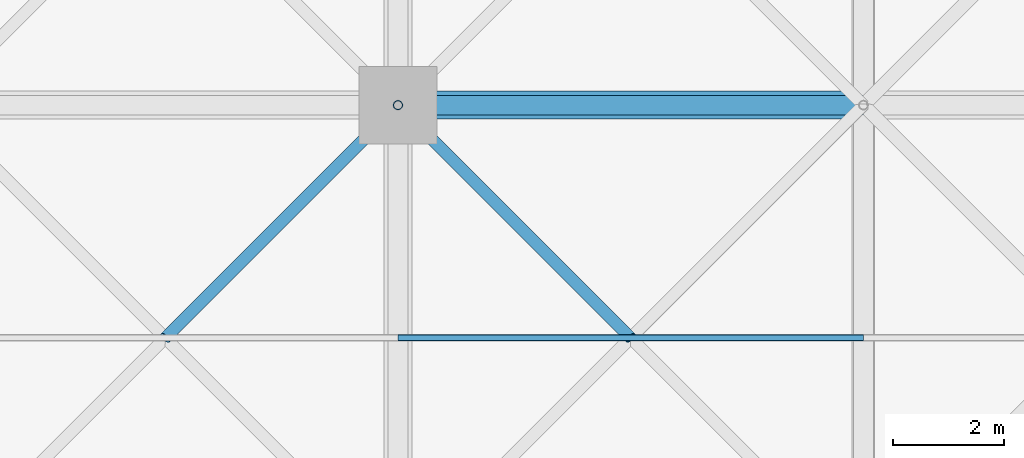
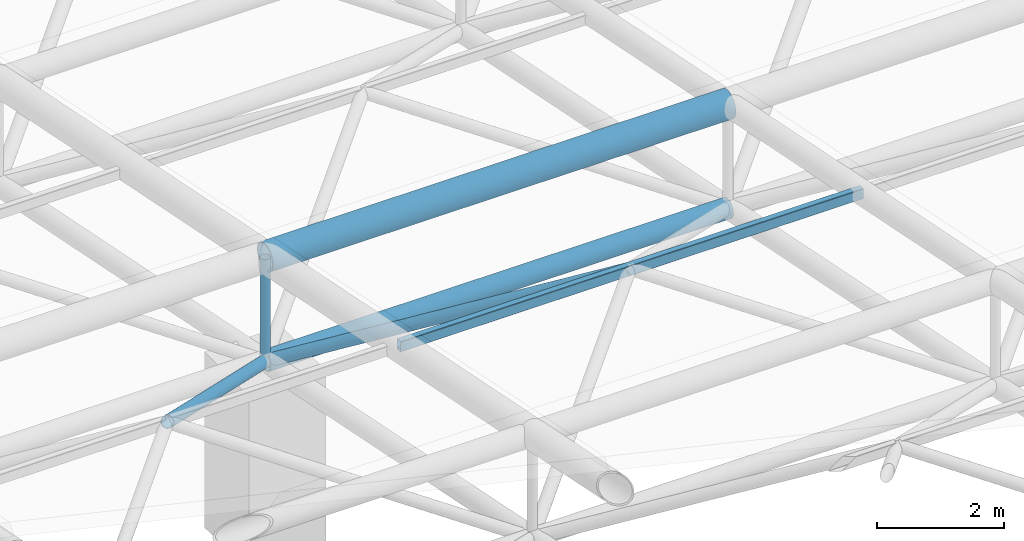
# One storey, part 46 of 81: 6 members.
"""IFC4 building model written with IfcOpenShell, lengths in metres."""

from ifc_helpers import new_model, si_unit, direction, frame, origin, origin_2d, place, context, subcontext, project, spatial, hollow_rectangle, hollow_circle, extrude, material, material_profile, profile_set, type_object, element, save


model = new_model("IFC4")

# Units and contexts
model_context = context("Model", 3, precision=1e-05, world=origin(), true_north=direction((0.0, 1.0)))
body_context = subcontext(model_context, "Body", "Model", "MODEL_VIEW")
ifc_project = project(units=[si_unit("LENGTHUNIT", "METRE"), si_unit("AREAUNIT", "SQUARE_METRE"), si_unit("VOLUMEUNIT", "CUBIC_METRE"), si_unit("PLANEANGLEUNIT", "RADIAN"), si_unit("MASSUNIT", "GRAM", prefix="KILO")], contexts=[model_context])

# Site, building, storey
site_placement = place(None, origin())
site = spatial("IfcSite", under=ifc_project, at=site_placement, CompositionType="ELEMENT")
building_placement = place(site_placement, origin())
building = spatial("IfcBuilding", under=site, at=building_placement, Name="Qawsi Khor Wholesale Market", CompositionType="ELEMENT")
storey_placement = place(building_placement, frame((0.0, 0.0, 16.199951171875)))
storey = spatial("IfcBuildingStorey", under=building, at=storey_placement, Name="L03", CompositionType="ELEMENT", Elevation=16.199951171875)

# Members
ifc_material = material(Name="Steel S355", Category="steel")
ifc_material_profile_1 = material_profile(ifc_material, hollow_circle(Radius=0.177734375, WallThickness=0.01611328125, at=origin_2d()), Name="CHS 355.6x16.0")
ifc_profile_set_1 = profile_set([ifc_material_profile_1], Name="Steel S355")
member_type_1 = type_object("IfcMemberType", Name="Space-Frame Bottom Chord CHS 355.6x16.0", PredefinedType="CHORD", material=ifc_profile_set_1)
member_1_placement = place(storey_placement, frame((58.800048828125, 92.39990234375, 3.3701171875), z_axis=(1.0, 0.0, 0.0), x_axis=(0.0, 1.0, 0.0)))
element("IfcMember", 1, at=member_1_placement, inside=storey, type_object=member_type_1, Name="Space frame bottom chord X WH (7,11)", PredefinedType="CHORD", context=body_context, shape_type="SweptSolid", body=[
    extrude(hollow_circle(Radius=0.177734375, WallThickness=0.01611328125, at=origin_2d()), origin(), (0.0, 0.0, 1.0), 8.39990234375),
])
ifc_material_profile_2 = material_profile(ifc_material, hollow_rectangle(XDim=0.1201171875, YDim=0.199951171875, WallThickness=0.008056640625, InnerFilletRadius=0.008056640625, OuterFilletRadius=0.01611328125, at=origin_2d()), Name="RHS 200x120x8.0")
ifc_profile_set_2 = profile_set([ifc_material_profile_2], Name="Steel S355")
member_type_2 = type_object("IfcMemberType", Name="Space-Frame Heavy Purlin RHS 200x120x8.0", PredefinedType="PURLIN", material=ifc_profile_set_2)
member_2_placement = place(storey_placement, frame((58.800048828125, 88.199951171875, 6.219970703125), z_axis=(1.0, 0.0, 0.0), x_axis=(0.0, 1.0, 0.0)))
element("IfcMember", 2, at=member_2_placement, inside=storey, type_object=member_type_2, Name="Space frame purlin WH (7,10)", PredefinedType="PURLIN", context=body_context, shape_type="SweptSolid", body=[
    extrude(hollow_rectangle(XDim=0.1201171875, YDim=0.199951171875, WallThickness=0.008056640625, InnerFilletRadius=0.008056640625, OuterFilletRadius=0.01611328125, at=origin_2d()), origin(), (0.0, 0.0, 1.0), 8.39990234375),
])
ifc_material_profile_3 = material_profile(ifc_material, hollow_circle(Radius=0.109619140625, WallThickness=0.010009765625, at=origin_2d()), Name="CHS 219.1x10.0")
ifc_profile_set_3 = profile_set([ifc_material_profile_3], Name="Steel S355")
member_type_3 = type_object("IfcMemberType", Name="Space-Frame Inner Diagonal CHS 219.1x10.0", PredefinedType="RAFTER", material=ifc_profile_set_3)
for number, where, z_axis, x_axis, name in (
    (3, (58.800048828125, 92.39990234375, 3.3701171875), (-0.637521961484, -0.637521961484, 0.432586982294), (0.707106781187, -0.707106781187, 0.0), "Space frame diagonal WH (6,10)-3"),
    (4, (58.800048828125, 92.39990234375, 3.3701171875), (0.637521961484, -0.637521961484, 0.432586982294), (0.707106781187, 0.707106781187, 0.0), "Space frame diagonal WH (7,10)-4"),
):
    element("IfcMember", number, at=place(storey_placement, frame(where, z_axis=z_axis, x_axis=x_axis)), inside=storey, type_object=member_type_3, Name=name, PredefinedType="RAFTER", context=body_context, shape_type="SweptSolid", body=[
        extrude(hollow_circle(Radius=0.109619140625, WallThickness=0.010009765625, at=origin_2d()), origin(), (0.0, 0.0, 1.0), 6.587890625),
    ])
ifc_material_profile_4 = material_profile(ifc_material, hollow_circle(Radius=0.25390625, WallThickness=0.02490234375, at=origin_2d()), Name="CHS 508.0x25.0")
ifc_profile_set_4 = profile_set([ifc_material_profile_4], Name="Steel S355")
member_type_4 = type_object("IfcMemberType", Name="Space-Frame Main Chord CHS 508.0x25.0", PredefinedType="CHORD", material=ifc_profile_set_4)
member_3_placement = place(storey_placement, frame((58.800048828125, 92.39990234375, 5.3701171875), z_axis=(1.0, 0.0, 0.0), x_axis=(0.0, 1.0, 0.0)))
element("IfcMember", 5, at=member_3_placement, inside=storey, type_object=member_type_4, Name="Space frame top chord X WH (7,11)", PredefinedType="CHORD", context=body_context, shape_type="SweptSolid", body=[
    extrude(hollow_circle(Radius=0.25390625, WallThickness=0.02490234375, at=origin_2d()), origin(), (0.0, 0.0, 1.0), 8.39990234375),
])
ifc_material_profile_5 = material_profile(ifc_material, hollow_circle(Radius=0.084228515625, WallThickness=0.008056640625, at=origin_2d()), Name="CHS 168.3x8.0")
ifc_profile_set_5 = profile_set([ifc_material_profile_5], Name="Steel S355")
member_type_5 = type_object("IfcMemberType", Name="Space-Frame Vertical Strut CHS 168.3x8.0", PredefinedType="STRUT", material=ifc_profile_set_5)
member_4_placement = place(storey_placement, frame((58.800048828125, 92.39990234375, 3.3701171875), z_axis=(0.0, 0.0, 1.0), x_axis=(1.0, 0.0, 0.0)))
element("IfcMember", 6, at=member_4_placement, inside=storey, type_object=member_type_5, Name="Space frame post WH (7,11)", PredefinedType="STRUT", context=body_context, shape_type="SweptSolid", body=[
    extrude(hollow_circle(Radius=0.084228515625, WallThickness=0.008056640625, at=origin_2d()), origin(), (0.0, 0.0, 1.0), 2.0),
])

save(model, "model.ifc")
